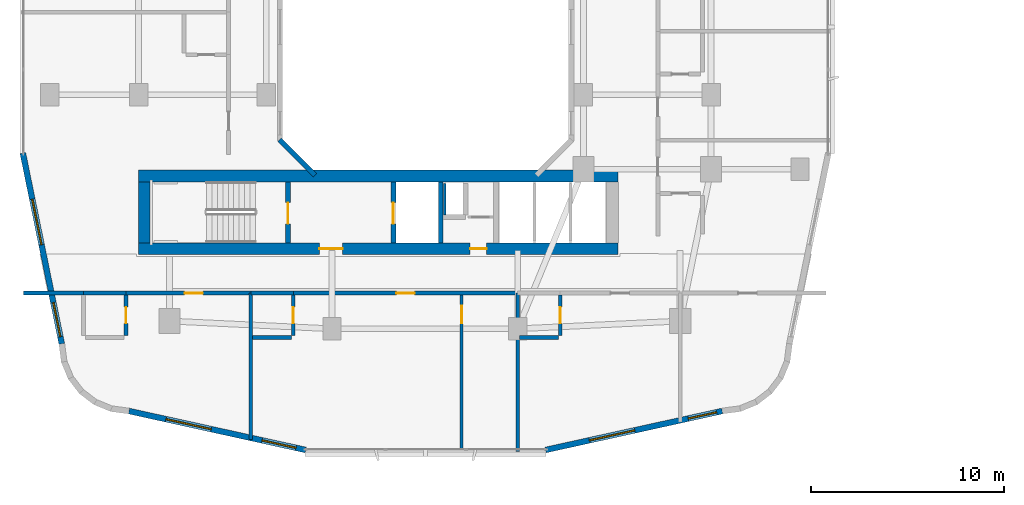
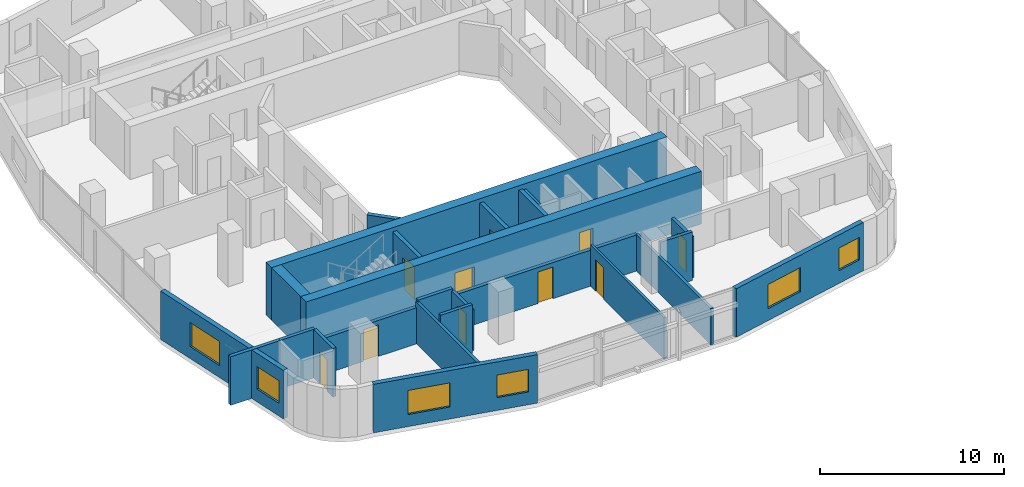
# One storey, part 13 of 27: 24 walls, 10 doors, 6 windows, 16 openings.
"""IFC4 building model written with IfcOpenShell, lengths in metres."""

from ifc_helpers import new_model, si_unit, derived_unit, direction, frame, frame_2d, origin, place, context, subcontext, project, spatial, rectangle, extrude, material, layer, layer_set, type_object, element, fill, save


model = new_model("IFC4")

# Units and contexts
model_context = context("Model", 3, precision=1e-05, world=origin(), true_north=direction((0.0, 1.0)))
body_context = subcontext(model_context, "Body", "Model", "MODEL_VIEW")
ifc_project = project(units=[si_unit("LENGTHUNIT", "METRE"), si_unit("AREAUNIT", "SQUARE_METRE"), si_unit("VOLUMEUNIT", "CUBIC_METRE"), si_unit("PLANEANGLEUNIT", "RADIAN"), si_unit("MASSUNIT", "GRAM", prefix="KILO"), derived_unit("THERMALTRANSMITTANCEUNIT", [(si_unit("POWERUNIT", "WATT"), 1), (si_unit("LENGTHUNIT", "METRE"), -2), (si_unit("THERMODYNAMICTEMPERATUREUNIT", "KELVIN"), -1)])], contexts=[model_context])

# Site, building, storey
site_placement = place(None, origin())
site = spatial("IfcSite", under=ifc_project, at=site_placement, CompositionType="ELEMENT")
building_placement = place(site_placement, origin())
building = spatial("IfcBuilding", under=site, at=building_placement, Name="Kivonza Crest Hotel", CompositionType="ELEMENT")
storey_placement = place(building_placement, frame((0.0, 0.0, 38.0)))
storey = spatial("IfcBuildingStorey", under=building, at=storey_placement, Name="L09", CompositionType="ELEMENT", Elevation=38.0)

# Walls
ifc_material_1 = material(Name="High-density acoustic masonry inter-tenancy wall", Category="masonry")
ifc_layer_1 = layer(ifc_material_1, 0.179931640625)
ifc_layer_set_1 = layer_set([ifc_layer_1], Name="High-density acoustic masonry inter-tenancy wall")
wall_type_1 = type_object("IfcWallType", Name="WL-ACOU-180", PredefinedType="SOLIDWALL", material=ifc_layer_set_1)
wall_1_placement = place(storey_placement, frame((12.0, 3.66796875, 0.0), z_axis=(0.0, 0.0, 1.0), x_axis=(0.0, 1.0, 0.0)))
element("IfcWall", 1, at=wall_1_placement, inside=storey, type_object=wall_type_1, Name="L09 interior partition WA-L09-T1S-DIV1", PredefinedType="SOLIDWALL", context=body_context, shape_type="SweptSolid", body=[
    extrude(rectangle(XDim=7.58203125, YDim=0.179931640625, at=frame_2d((3.791015625, 0.0))), origin(), (0.0, 0.0, 1.0), 2.7451171875),
])
wall_2_placement = place(storey_placement, frame((25.800048828125, 3.06005859375, 0.0), z_axis=(0.0, 0.0, 1.0), x_axis=(0.0, 1.0, 0.0)))
element("IfcWall", 2, at=wall_2_placement, inside=storey, type_object=wall_type_1, Name="L09 interior partition WA-L09-T1S-DIV2", PredefinedType="SOLIDWALL", context=body_context, shape_type="SweptSolid", body=[
    extrude(rectangle(XDim=8.18994140625, YDim=0.179931640625, at=frame_2d((4.094970703125, 0.0))), origin(), (0.0, 0.0, 1.0), 2.39501953125),
])
ifc_material_2 = material(Name="Autoclaved aerated concrete blockwork", Category="masonry")
ifc_layer_2 = layer(ifc_material_2, 0.219970703125)
ifc_layer_set_2 = layer_set([ifc_layer_2], Name="Autoclaved aerated concrete blockwork")
wall_type_2 = type_object("IfcWallType", Name="WL-ACOU-220", PredefinedType="SOLIDWALL", material=ifc_layer_set_2)
wall_3_placement = place(storey_placement, frame((0.239990234375, 11.25, 0.0), z_axis=(0.0, 0.0, 1.0), x_axis=(1.0, 0.0, 0.0)))
element("IfcWall", 3, at=wall_3_placement, inside=storey, type_object=wall_type_2, Name="L09 interior partition WA-L09-S04-XCORR", PredefinedType="SOLIDWALL", context=body_context, shape_type="SweptSolid", body=[
    extrude(rectangle(XDim=3.110107421875, YDim=0.219970703125, at=frame_2d((1.55517578125, 0.0))), origin(), (0.0, 0.0, 1.0), 3.219970703125),
])
wall_4_placement = place(storey_placement, frame((3.35009765625, 11.25, 0.0), z_axis=(0.0, 0.0, 1.0), x_axis=(1.0, 0.0, 0.0)))
element("IfcWall", 4, at=wall_4_placement, inside=storey, type_object=wall_type_2, Name="L09 interior partition WA-L09-S04-BCORR", PredefinedType="SOLIDWALL", context=body_context, shape_type="SweptSolid", body=[
    extrude(rectangle(XDim=2.199951171875, YDim=0.219970703125, at=frame_2d((1.10009765625, 0.0))), origin(), (0.0, 0.0, 1.0), 3.219970703125),
])

# Wall, opening, door
wall_5_placement = place(storey_placement, frame((5.550048828125, 11.25, 0.0), z_axis=(0.0, 0.0, 1.0), x_axis=(1.0, 0.0, 0.0)))
wall_5 = element("IfcWall", 5, at=wall_5_placement, inside=storey, type_object=wall_type_2, Name="L09 interior partition WA-L09-S04-MCORR", PredefinedType="SOLIDWALL", context=body_context, shape_type="SweptSolid", body=[
    extrude(rectangle(XDim=6.449951171875, YDim=0.219970703125, at=frame_2d((3.22509765625, 0.0))), origin(), (0.0, 0.0, 1.0), 2.39501953125),
])
opening_1_placement = place(wall_5_placement, frame((3.030029296875, 0.0, 0.0)))
opening_1 = element("IfcOpeningElement", 6, at=opening_1_placement, cuts=wall_5, Name="Opening DU-60", PredefinedType="OPENING", context=body_context, shape_type="SweptSolid", body=[
    extrude(rectangle(XDim=0.949951171875, YDim=2.10009765625, at=frame_2d((0.47509765625, 1.050048828125))), frame((0.0, 0.1201171875, 0.0), z_axis=(0.0, -1.0, 0.0), x_axis=(1.0, 0.0, 0.0)), (0.0, 0.0, 1.0), 0.239990234375),
])
ifc_material_3 = material(Name="Hardwood timber oak", Category="wood")
door_type_1 = type_object("IfcDoorType", Name="DR-UNIT-950", OperationType="NOTDEFINED", PredefinedType="DOOR", material=ifc_material_3)
door_1_placement = place(opening_1_placement, frame((0.949951171875, 0.0, 0.0), z_axis=(0.0, 0.0, 1.0), x_axis=(-1.0, 0.0, 0.0)))
door_1 = element("IfcDoor", 7, at=door_1_placement, inside=storey, type_object=door_type_1, Name="L09 S04 guest unit entrance fire door", OperationType="SINGLE_SWING_RIGHT", OverallHeight=2.10009765625, OverallWidth=0.949951171875, PredefinedType="DOOR", context=body_context, shape_type="SweptSolid", body=[
    extrude(rectangle(XDim=0.949951171875, YDim=2.10009765625, at=frame_2d((0.47509765625, 1.050048828125))), frame((0.0, 0.02490234375, 0.0), z_axis=(0.0, -1.0, 0.0), x_axis=(1.0, 0.0, 0.0)), (0.0, 0.0, 1.0), 0.050048828125),
])
fill(opening_1, door_1)

# Wall
wall_6_placement = place(storey_placement, frame((12.0, 11.25, 0.0), z_axis=(0.0, 0.0, 1.0), x_axis=(1.0, 0.0, 0.0)))
element("IfcWall", 8, at=wall_6_placement, inside=storey, type_object=wall_type_2, Name="L09 interior partition WA-L09-S05-BCORR", PredefinedType="SOLIDWALL", context=body_context, shape_type="SweptSolid", body=[
    extrude(rectangle(XDim=2.199951171875, YDim=0.219970703125, at=frame_2d((1.10009765625, 0.0))), origin(), (0.0, 0.0, 1.0), 2.864990234375),
])

# Wall, opening, door
wall_7_placement = place(storey_placement, frame((14.199951171875, 11.25, 0.0), z_axis=(0.0, 0.0, 1.0), x_axis=(1.0, 0.0, 0.0)))
wall_7 = element("IfcWall", 9, at=wall_7_placement, inside=storey, type_object=wall_type_2, Name="L09 interior partition WA-L09-S05-MCORR", PredefinedType="SOLIDWALL", context=body_context, shape_type="SweptSolid", body=[
    extrude(rectangle(XDim=11.60009765625, YDim=0.219970703125, at=frame_2d((5.800048828125, 0.0))), origin(), (0.0, 0.0, 1.0), 2.39501953125),
])
opening_2_placement = place(wall_7_placement, frame((5.324951171875, 0.0, 0.0)))
opening_2 = element("IfcOpeningElement", 10, at=opening_2_placement, cuts=wall_7, Name="Opening DU-60", PredefinedType="OPENING", context=body_context, shape_type="SweptSolid", body=[
    extrude(rectangle(XDim=0.949951171875, YDim=2.10009765625, at=frame_2d((0.47509765625, 1.050048828125))), frame((0.0, 0.1201171875, 0.0), z_axis=(0.0, -1.0, 0.0), x_axis=(1.0, 0.0, 0.0)), (0.0, 0.0, 1.0), 0.239990234375),
])
door_2_placement = place(opening_2_placement, frame((0.949951171875, 0.0, 0.0), z_axis=(0.0, 0.0, 1.0), x_axis=(-1.0, 0.0, 0.0)))
door_2 = element("IfcDoor", 11, at=door_2_placement, inside=storey, type_object=door_type_1, Name="L09 S05 guest unit entrance fire door", OperationType="SINGLE_SWING_LEFT", OverallHeight=2.10009765625, OverallWidth=0.949951171875, PredefinedType="DOOR", context=body_context, shape_type="SweptSolid", body=[
    extrude(rectangle(XDim=0.949951171875, YDim=2.10009765625, at=frame_2d((0.47509765625, 1.050048828125))), frame((0.0, 0.02490234375, 0.0), z_axis=(0.0, -1.0, 0.0), x_axis=(1.0, 0.0, 0.0)), (0.0, 0.0, 1.0), 0.050048828125),
])
fill(opening_2, door_2)

# Wall, openings, doors
ifc_material_4 = material(Name="Concrete C60/75", Category="concrete")
ifc_layer_3 = layer(ifc_material_4, 0.60009765625)
ifc_layer_set_3 = layer_set([ifc_layer_3], Name="Concrete C60/75")
wall_type_3 = type_object("IfcWallType", Name="WL-CORE-600", PredefinedType="SHEAR", material=ifc_layer_set_3)
wall_8_placement = place(storey_placement, frame((6.199951171875, 13.5400390625, 0.0), z_axis=(0.0, 0.0, 1.0), x_axis=(1.0, 0.0, 0.0)))
wall_8 = element("IfcWall", 12, at=wall_8_placement, inside=storey, type_object=wall_type_3, Name="Core wall T1-S South L09", PredefinedType="SHEAR", context=body_context, shape_type="SweptSolid", body=[
    extrude(rectangle(XDim=24.800048828125, YDim=0.60009765625, at=frame_2d((12.39990234375, 0.0))), origin(), (0.0, 0.0, 1.0), 3.5),
])
opening_3_placement = place(wall_8_placement, frame((9.35009765625, 0.0, 0.0)))
opening_3 = element("IfcOpeningElement", 13, at=opening_3_placement, cuts=wall_8, Name="Opening DF-60", PredefinedType="OPENING", context=body_context, shape_type="SweptSolid", body=[
    extrude(rectangle(XDim=1.199951171875, YDim=2.14990234375, at=frame_2d((0.60009765625, 1.074951171875))), frame((0.0, 0.31005859375, 0.0), z_axis=(0.0, -1.0, 0.0), x_axis=(1.0, 0.0, 0.0)), (0.0, 0.0, 1.0), 0.6201171875),
])
opening_4_placement = place(wall_8_placement, frame((17.139892578125, 0.0, 0.0)))
opening_4 = element("IfcOpeningElement", 14, at=opening_4_placement, cuts=wall_8, Name="Opening DF-60R", PredefinedType="OPENING", context=body_context, shape_type="SweptSolid", body=[
    extrude(rectangle(XDim=0.85009765625, YDim=2.10009765625, at=frame_2d((0.425048828125, 1.050048828125))), frame((0.0, 0.31005859375, 0.0), z_axis=(0.0, -1.0, 0.0), x_axis=(1.0, 0.0, 0.0)), (0.0, 0.0, 1.0), 0.6201171875),
])
door_type_2 = type_object("IfcDoorType", Name="DR-FD60-1200", OperationType="NOTDEFINED", PredefinedType="DOOR", material=ifc_material_3)
door_3_placement = place(opening_3_placement, frame((1.199951171875, 0.0, 0.0), z_axis=(0.0, 0.0, 1.0), x_axis=(-1.0, 0.0, 0.0)))
door_3 = element("IfcDoor", 15, at=door_3_placement, inside=storey, type_object=door_type_2, Name="L09 T1-S firefighting lobby fire door", OperationType="SINGLE_SWING_LEFT", OverallHeight=2.14990234375, OverallWidth=1.199951171875, PredefinedType="DOOR", context=body_context, shape_type="SweptSolid", body=[
    extrude(rectangle(XDim=1.199951171875, YDim=2.14990234375, at=frame_2d((0.60009765625, 1.074951171875))), frame((0.0, 0.02490234375, 0.0), z_axis=(0.0, -1.0, 0.0), x_axis=(1.0, 0.0, 0.0)), (0.0, 0.0, 1.0), 0.050048828125),
])
fill(opening_3, door_3)
door_type_3 = type_object("IfcDoorType", Name="DR-FD60-850", OperationType="NOTDEFINED", PredefinedType="DOOR", material=ifc_material_3)
door_4_placement = place(opening_4_placement, frame((0.85009765625, 0.0, 0.0), z_axis=(0.0, 0.0, 1.0), x_axis=(-1.0, 0.0, 0.0)))
door_4 = element("IfcDoor", 16, at=door_4_placement, inside=storey, type_object=door_type_3, Name="L09 T1-S core room door", OperationType="SINGLE_SWING_RIGHT", OverallHeight=2.10009765625, OverallWidth=0.85009765625, PredefinedType="DOOR", context=body_context, shape_type="SweptSolid", body=[
    extrude(rectangle(XDim=0.85009765625, YDim=2.10009765625, at=frame_2d((0.425048828125, 1.050048828125))), frame((0.0, 0.02490234375, 0.0), z_axis=(0.0, -1.0, 0.0), x_axis=(1.0, 0.0, 0.0)), (0.0, 0.0, 1.0), 0.050048828125),
])
fill(opening_4, door_4)

# Walls
wall_9_placement = place(storey_placement, frame((6.199951171875, 17.300048828125, 0.0), z_axis=(0.0, 0.0, 1.0), x_axis=(1.0, 0.0, 0.0)))
element("IfcWall", 17, at=wall_9_placement, inside=storey, type_object=wall_type_3, Name="Core wall T1-S North L09", PredefinedType="SHEAR", context=body_context, shape_type="SweptSolid", body=[
    extrude(rectangle(XDim=24.800048828125, YDim=0.60009765625, at=frame_2d((12.39990234375, 0.0))), origin(), (0.0, 0.0, 1.0), 3.5),
])
wall_10_placement = place(storey_placement, frame((6.5, 13.840087890625, 0.0), z_axis=(0.0, 0.0, 1.0), x_axis=(0.0, 1.0, 0.0)))
element("IfcWall", 18, at=wall_10_placement, inside=storey, type_object=wall_type_3, Name="Core wall T1-S West L09", PredefinedType="SHEAR", context=body_context, shape_type="SweptSolid", body=[
    extrude(rectangle(XDim=3.159912109375, YDim=0.60009765625, at=frame_2d((1.580078125, 0.0))), origin(), (0.0, 0.0, 1.0), 3.5),
])
ifc_material_5 = material(Name="Precast concrete C40/50", Category="concrete")
ifc_layer_4 = layer(ifc_material_5, 0.260009765625)
ifc_layer_set_4 = layer_set([ifc_layer_4], Name="Precast concrete C40/50")
wall_type_4 = type_object("IfcWallType", Name="WL-EXT-260", PredefinedType="STANDARD", material=ifc_layer_set_4)
wall_11_placement = place(storey_placement, frame((13.48388671875, 19.172119140625, 0.0), z_axis=(0.0, 0.0, 1.0), x_axis=(0.707106781187, -0.707106781187, 0.0)))
element("IfcWall", 19, at=wall_11_placement, inside=storey, type_object=wall_type_4, Name="L09 T1 light-well exterior wall 8", PredefinedType="STANDARD", context=body_context, shape_type="SweptSolid", body=[
    extrude(rectangle(XDim=2.593994140625, YDim=0.260009765625, at=frame_2d((1.296875, 0.0))), origin(), (0.0, 0.0, 1.0), 3.219970703125),
])

# Wall, openings, windows
ifc_layer_5 = layer(ifc_material_5, 0.300048828125)
ifc_layer_set_5 = layer_set([ifc_layer_5], Name="Precast concrete C40/50")
wall_type_5 = type_object("IfcWallType", Name="WL-EXT-300", PredefinedType="STANDARD", material=ifc_layer_set_5)
wall_12_placement = place(storey_placement, frame((5.7041015625, 5.14794921875, 0.0), z_axis=(0.0, 0.0, 1.0), x_axis=(0.9765437942, -0.215318875183, 0.0)))
wall_12 = element("IfcWall", 20, at=wall_12_placement, inside=storey, type_object=wall_type_5, Name="L09 T1 exterior insulated wall 7", PredefinedType="STANDARD", context=body_context, shape_type="SweptSolid", body=[
    extrude(rectangle(XDim=9.353271484375, YDim=0.300048828125, at=frame_2d((4.6767578125, 0.0))), origin(), (0.0, 0.0, 1.0), 3.219970703125),
])
opening_5_placement = place(wall_12_placement, frame((1.9580078125, 0.0, 0.800048828125)))
opening_5 = element("IfcOpeningElement", 21, at=opening_5_placement, cuts=wall_12, Name="Opening WN-05", PredefinedType="OPENING", context=body_context, shape_type="SweptSolid", body=[
    extrude(rectangle(XDim=2.39990234375, YDim=1.60009765625, at=frame_2d((1.199951171875, 0.800048828125))), frame((0.0, 0.16015625, 0.0), z_axis=(0.0, -1.0, 0.0), x_axis=(1.0, 0.0, 0.0)), (0.0, 0.0, 1.0), 0.320068359375),
])
opening_6_placement = place(wall_12_placement, frame((7.0400390625, 0.0, 0.85009765625)))
opening_6 = element("IfcOpeningElement", 22, at=opening_6_placement, cuts=wall_12, Name="Opening WN-03", PredefinedType="OPENING", context=body_context, shape_type="SweptSolid", body=[
    extrude(rectangle(XDim=1.800048828125, YDim=1.5, at=frame_2d((0.89990234375, 0.75))), frame((0.0, 0.16015625, 0.0), z_axis=(0.0, -1.0, 0.0), x_axis=(1.0, 0.0, 0.0)), (0.0, 0.0, 1.0), 0.320068359375),
])
ifc_material_6 = material(Name="Thermally broken bronze aluminium and low-E double glazing", Category="aluminium")
window_type_1 = type_object("IfcWindowType", Name="WN-180x150", PartitioningType="DOUBLE_PANEL_VERTICAL", PredefinedType="WINDOW", material=ifc_material_6)
window_1_placement = place(opening_6_placement, origin())
window_1 = element("IfcWindow", 23, at=window_1_placement, inside=storey, type_object=window_type_1, Name="L09 T1 facade window 7 bay 2", OverallHeight=1.5, OverallWidth=1.800048828125, PartitioningType="SINGLE_PANEL", PredefinedType="WINDOW", context=body_context, shape_type="SweptSolid", body=[
    extrude(rectangle(XDim=1.800048828125, YDim=1.5, at=frame_2d((0.89990234375, 0.75))), frame((0.0, 0.030029296875, 0.0), z_axis=(0.0, -1.0, 0.0), x_axis=(1.0, 0.0, 0.0)), (0.0, 0.0, 1.0), 0.06005859375),
])
fill(opening_6, window_1)
window_type_2 = type_object("IfcWindowType", Name="WN-240x160", PartitioningType="TRIPLE_PANEL_VERTICAL", PredefinedType="WINDOW", material=ifc_material_6)
window_2_placement = place(opening_5_placement, origin())
window_2 = element("IfcWindow", 24, at=window_2_placement, inside=storey, type_object=window_type_2, Name="L09 T1 facade window 7 bay 1", OverallHeight=1.60009765625, OverallWidth=2.39990234375, PartitioningType="SINGLE_PANEL", PredefinedType="WINDOW", context=body_context, shape_type="SweptSolid", body=[
    extrude(rectangle(XDim=2.39990234375, YDim=1.60009765625, at=frame_2d((1.199951171875, 0.800048828125))), frame((0.0, 0.030029296875, 0.0), z_axis=(0.0, -1.0, 0.0), x_axis=(1.0, 0.0, 0.0)), (0.0, 0.0, 1.0), 0.06005859375),
])
fill(opening_5, window_2)

wall_13_placement = place(storey_placement, frame((27.241943359375, 3.134033203125, 0.0), z_axis=(0.0, 0.0, 1.0), x_axis=(0.97654500432, 0.215313386808, 0.0)))
wall_13 = element("IfcWall", 25, at=wall_13_placement, inside=storey, type_object=wall_type_5, Name="L09 T1 exterior insulated wall 9", PredefinedType="STANDARD", context=body_context, shape_type="SweptSolid", body=[
    extrude(rectangle(XDim=9.353515625, YDim=0.300048828125, at=frame_2d((4.6767578125, 0.0))), origin(), (0.0, 0.0, 1.0), 3.219970703125),
])
opening_7_placement = place(wall_13_placement, frame((2.322998046875, 0.0, 0.800048828125)))
opening_7 = element("IfcOpeningElement", 26, at=opening_7_placement, cuts=wall_13, Name="Opening WN-05", PredefinedType="OPENING", context=body_context, shape_type="SweptSolid", body=[
    extrude(rectangle(XDim=2.39990234375, YDim=1.60009765625, at=frame_2d((1.199951171875, 0.800048828125))), frame((0.0, 0.16015625, 0.0), z_axis=(0.0, -1.0, 0.0), x_axis=(1.0, 0.0, 0.0)), (0.0, 0.0, 1.0), 0.320068359375),
])
opening_8_placement = place(wall_13_placement, frame((7.554931640625, 0.0, 0.85009765625)))
opening_8 = element("IfcOpeningElement", 27, at=opening_8_placement, cuts=wall_13, Name="Opening WN-02", PredefinedType="OPENING", context=body_context, shape_type="SweptSolid", body=[
    extrude(rectangle(XDim=1.5, YDim=1.5, at=frame_2d((0.75, 0.75))), frame((0.0, 0.16015625, 0.0), z_axis=(0.0, -1.0, 0.0), x_axis=(1.0, 0.0, 0.0)), (0.0, 0.0, 1.0), 0.320068359375),
])
window_type_3 = type_object("IfcWindowType", Name="WN-150x150", PartitioningType="DOUBLE_PANEL_VERTICAL", PredefinedType="WINDOW", material=ifc_material_6)
window_3_placement = place(opening_8_placement, origin())
window_3 = element("IfcWindow", 28, at=window_3_placement, inside=storey, type_object=window_type_3, Name="L09 T1 facade window 9 bay 2", OverallHeight=1.5, OverallWidth=1.5, PartitioningType="SINGLE_PANEL", PredefinedType="WINDOW", context=body_context, shape_type="SweptSolid", body=[
    extrude(rectangle(XDim=1.5, YDim=1.5, at=frame_2d((0.75, 0.75))), frame((0.0, 0.030029296875, 0.0), z_axis=(0.0, -1.0, 0.0), x_axis=(1.0, 0.0, 0.0)), (0.0, 0.0, 1.0), 0.06005859375),
])
fill(opening_8, window_3)
window_4_placement = place(opening_7_placement, origin())
window_4 = element("IfcWindow", 29, at=window_4_placement, inside=storey, type_object=window_type_2, Name="L09 T1 facade window 9 bay 1", OverallHeight=1.60009765625, OverallWidth=2.39990234375, PartitioningType="SINGLE_PANEL", PredefinedType="WINDOW", context=body_context, shape_type="SweptSolid", body=[
    extrude(rectangle(XDim=2.39990234375, YDim=1.60009765625, at=frame_2d((1.199951171875, 0.800048828125))), frame((0.0, 0.030029296875, 0.0), z_axis=(0.0, -1.0, 0.0), x_axis=(1.0, 0.0, 0.0)), (0.0, 0.0, 1.0), 0.06005859375),
])
fill(opening_7, window_4)

wall_14_placement = place(storey_placement, frame((0.216064453125, 18.48388671875, 0.0), z_axis=(0.0, 0.0, 1.0), x_axis=(0.199990901713, -0.979797754249, 0.0)))
wall_14 = element("IfcWall", 30, at=wall_14_placement, inside=storey, type_object=wall_type_5, Name="L09 T1 exterior insulated wall 36", PredefinedType="STANDARD", context=body_context, shape_type="SweptSolid", body=[
    extrude(rectangle(XDim=10.065185546875, YDim=0.300048828125, at=frame_2d((5.03271484375, 0.0))), origin(), (0.0, 0.0, 1.0), 3.219970703125),
])
opening_9_placement = place(wall_14_placement, frame((2.428955078125, 0.0, 0.800048828125)))
opening_9 = element("IfcOpeningElement", 31, at=opening_9_placement, cuts=wall_14, Name="Opening WN-05", PredefinedType="OPENING", context=body_context, shape_type="SweptSolid", body=[
    extrude(rectangle(XDim=2.39990234375, YDim=1.60009765625, at=frame_2d((1.199951171875, 0.800048828125))), frame((0.0, 0.16015625, 0.0), z_axis=(0.0, -1.0, 0.0), x_axis=(1.0, 0.0, 0.0)), (0.0, 0.0, 1.0), 0.320068359375),
])
opening_10_placement = place(wall_14_placement, frame((7.886962890625, 0.0, 0.85009765625)))
opening_10 = element("IfcOpeningElement", 32, at=opening_10_placement, cuts=wall_14, Name="Opening WN-03", PredefinedType="OPENING", context=body_context, shape_type="SweptSolid", body=[
    extrude(rectangle(XDim=1.800048828125, YDim=1.5, at=frame_2d((0.89990234375, 0.75))), frame((0.0, 0.16015625, 0.0), z_axis=(0.0, -1.0, 0.0), x_axis=(1.0, 0.0, 0.0)), (0.0, 0.0, 1.0), 0.320068359375),
])
window_5_placement = place(opening_10_placement, origin())
window_5 = element("IfcWindow", 33, at=window_5_placement, inside=storey, type_object=window_type_1, Name="L09 T1 facade window 36 bay 2", OverallHeight=1.5, OverallWidth=1.800048828125, PartitioningType="SINGLE_PANEL", PredefinedType="WINDOW", context=body_context, shape_type="SweptSolid", body=[
    extrude(rectangle(XDim=1.800048828125, YDim=1.5, at=frame_2d((0.89990234375, 0.75))), frame((0.0, 0.030029296875, 0.0), z_axis=(0.0, -1.0, 0.0), x_axis=(1.0, 0.0, 0.0)), (0.0, 0.0, 1.0), 0.06005859375),
])
fill(opening_10, window_5)
window_6_placement = place(opening_9_placement, origin())
window_6 = element("IfcWindow", 34, at=window_6_placement, inside=storey, type_object=window_type_2, Name="L09 T1 facade window 36 bay 1", OverallHeight=1.60009765625, OverallWidth=2.39990234375, PartitioningType="SINGLE_PANEL", PredefinedType="WINDOW", context=body_context, shape_type="SweptSolid", body=[
    extrude(rectangle(XDim=2.39990234375, YDim=1.60009765625, at=frame_2d((1.199951171875, 0.800048828125))), frame((0.0, 0.030029296875, 0.0), z_axis=(0.0, -1.0, 0.0), x_axis=(1.0, 0.0, 0.0)), (0.0, 0.0, 1.0), 0.06005859375),
])
fill(opening_9, window_6)

# Wall
ifc_material_7 = material(Name="Twin-stud acoustic gypsum board partition", Category="gypsum")
ifc_layer_6 = layer(ifc_material_7, 0.14990234375)
ifc_layer_set_6 = layer_set([ifc_layer_6], Name="Twin-stud acoustic gypsum board partition")
wall_type_6 = type_object("IfcWallType", Name="WL-PART-150", PredefinedType="PARTITIONING", material=ifc_layer_set_6)
wall_15_placement = place(storey_placement, frame((22.030029296875, 15.280029296875, 0.0), z_axis=(0.0, 0.0, 1.0), x_axis=(0.0, 1.0, 0.0)))
element("IfcWall", 35, at=wall_15_placement, inside=storey, type_object=wall_type_6, Name="L09 interior partition WA-L09-T1-S-MEPR-W", PredefinedType="PARTITIONING", context=body_context, shape_type="SweptSolid", body=[
    extrude(rectangle(XDim=1.619873046875, YDim=0.14990234375, at=frame_2d((0.81005859375, 0.0))), origin(), (0.0, 0.0, 1.0), 3.219970703125),
])

# Wall, opening, door
wall_16_placement = place(storey_placement, frame((22.89990234375, 3.159912109375, 0.0), z_axis=(0.0, 0.0, 1.0), x_axis=(0.0, 1.0, 0.0)))
wall_16 = element("IfcWall", 36, at=wall_16_placement, inside=storey, type_object=wall_type_6, Name="L09 interior partition WP-L09-S05-SPSP", PredefinedType="PARTITIONING", context=body_context, shape_type="SweptSolid", body=[
    extrude(rectangle(XDim=7.989990234375, YDim=0.14990234375, at=frame_2d((3.9951171875, 0.0))), origin(), (0.0, 0.0, 1.0), 2.7451171875),
])
opening_11_placement = place(wall_16_placement, frame((6.5400390625, 0.0, 0.0)))
opening_11 = element("IfcOpeningElement", 37, at=opening_11_placement, cuts=wall_16, Name="Opening DI-90", PredefinedType="OPENING", context=body_context, shape_type="SweptSolid", body=[
    extrude(rectangle(XDim=0.89990234375, YDim=2.10009765625, at=frame_2d((0.449951171875, 1.050048828125))), frame((0.0, 0.0849609375, 0.0), z_axis=(0.0, -1.0, 0.0), x_axis=(1.0, 0.0, 0.0)), (0.0, 0.0, 1.0), 0.169921875),
])
door_type_4 = type_object("IfcDoorType", Name="DR-INT-900", OperationType="NOTDEFINED", PredefinedType="DOOR", material=ifc_material_3)
door_5_placement = place(opening_11_placement, origin())
door_5 = element("IfcDoor", 38, at=door_5_placement, inside=storey, type_object=door_type_4, Name="L09 S05 suite bedroom door", OperationType="SINGLE_SWING_RIGHT", OverallHeight=2.10009765625, OverallWidth=0.89990234375, PredefinedType="DOOR", context=body_context, shape_type="SweptSolid", body=[
    extrude(rectangle(XDim=0.89990234375, YDim=2.10009765625, at=frame_2d((0.449951171875, 1.050048828125))), frame((0.0, 0.02490234375, 0.0), z_axis=(0.0, -1.0, 0.0), x_axis=(1.0, 0.0, 0.0)), (0.0, 0.0, 1.0), 0.050048828125),
])
fill(opening_11, door_5)

ifc_material_8 = material(Name="Moisture-resistant plumbing chase partition wall", Category="gypsum")
ifc_layer_7 = layer(ifc_material_8, 0.199951171875)
ifc_layer_set_7 = layer_set([ifc_layer_7], Name="Moisture-resistant plumbing chase partition wall")
wall_type_7 = type_object("IfcWallType", Name="WL-PLUMB-200", PredefinedType="PLUMBINGWALL", material=ifc_layer_set_7)
wall_17_placement = place(storey_placement, frame((5.550048828125, 9.050048828125, 0.0), z_axis=(0.0, 0.0, 1.0), x_axis=(0.0, 1.0, 0.0)))
wall_17 = element("IfcWall", 39, at=wall_17_placement, inside=storey, type_object=wall_type_7, Name="L09 interior partition WW-L09-S04-BV", PredefinedType="PLUMBINGWALL", context=body_context, shape_type="SweptSolid", body=[
    extrude(rectangle(XDim=2.099853515625, YDim=0.199951171875, at=frame_2d((1.0498046875, 0.0))), origin(), (0.0, 0.0, 1.0), 3.219970703125),
])
opening_12_placement = place(wall_17_placement, frame((0.625, 0.0, 0.0)))
opening_12 = element("IfcOpeningElement", 40, at=opening_12_placement, cuts=wall_17, Name="Opening DI-85", PredefinedType="OPENING", context=body_context, shape_type="SweptSolid", body=[
    extrude(rectangle(XDim=0.85009765625, YDim=2.10009765625, at=frame_2d((0.425048828125, 1.050048828125))), frame((0.0, 0.10986328125, 0.0), z_axis=(0.0, -1.0, 0.0), x_axis=(1.0, 0.0, 0.0)), (0.0, 0.0, 1.0), 0.219970703125),
])
door_type_5 = type_object("IfcDoorType", Name="DR-INT-850", OperationType="NOTDEFINED", PredefinedType="DOOR", material=ifc_material_3)
door_6_placement = place(opening_12_placement, frame((0.85009765625, 0.0, 0.0), z_axis=(0.0, 0.0, 1.0), x_axis=(-1.0, 0.0, 0.0)))
door_6 = element("IfcDoor", 41, at=door_6_placement, inside=storey, type_object=door_type_5, Name="L09 S04 en-suite bathroom door", OperationType="SINGLE_SWING_LEFT", OverallHeight=2.10009765625, OverallWidth=0.85009765625, PredefinedType="DOOR", context=body_context, shape_type="SweptSolid", body=[
    extrude(rectangle(XDim=0.85009765625, YDim=2.10009765625, at=frame_2d((0.425048828125, 1.050048828125))), frame((0.0, 0.02490234375, 0.0), z_axis=(0.0, -1.0, 0.0), x_axis=(1.0, 0.0, 0.0)), (0.0, 0.0, 1.0), 0.050048828125),
])
fill(opening_12, door_6)

wall_18_placement = place(storey_placement, frame((14.199951171875, 9.050048828125, 0.0), z_axis=(0.0, 0.0, 1.0), x_axis=(0.0, 1.0, 0.0)))
wall_18 = element("IfcWall", 42, at=wall_18_placement, inside=storey, type_object=wall_type_7, Name="L09 interior partition WW-L09-S05-BV", PredefinedType="PLUMBINGWALL", context=body_context, shape_type="SweptSolid", body=[
    extrude(rectangle(XDim=2.099853515625, YDim=0.199951171875, at=frame_2d((1.0498046875, 0.0))), origin(), (0.0, 0.0, 1.0), 2.7451171875),
])
opening_13_placement = place(wall_18_placement, frame((0.625, 0.0, 0.0)))
opening_13 = element("IfcOpeningElement", 43, at=opening_13_placement, cuts=wall_18, Name="Opening DI-85", PredefinedType="OPENING", context=body_context, shape_type="SweptSolid", body=[
    extrude(rectangle(XDim=0.85009765625, YDim=2.10009765625, at=frame_2d((0.425048828125, 1.050048828125))), frame((0.0, 0.10986328125, 0.0), z_axis=(0.0, -1.0, 0.0), x_axis=(1.0, 0.0, 0.0)), (0.0, 0.0, 1.0), 0.219970703125),
])
door_7_placement = place(opening_13_placement, frame((0.85009765625, 0.0, 0.0), z_axis=(0.0, 0.0, 1.0), x_axis=(-1.0, 0.0, 0.0)))
door_7 = element("IfcDoor", 44, at=door_7_placement, inside=storey, type_object=door_type_5, Name="L09 S05 en-suite bathroom door", OperationType="SINGLE_SWING_RIGHT", OverallHeight=2.10009765625, OverallWidth=0.85009765625, PredefinedType="DOOR", context=body_context, shape_type="SweptSolid", body=[
    extrude(rectangle(XDim=0.85009765625, YDim=2.10009765625, at=frame_2d((0.425048828125, 1.050048828125))), frame((0.0, 0.02490234375, 0.0), z_axis=(0.0, -1.0, 0.0), x_axis=(1.0, 0.0, 0.0)), (0.0, 0.0, 1.0), 0.050048828125),
])
fill(opening_13, door_7)

# Wall
wall_19_placement = place(storey_placement, frame((12.10009765625, 8.949951171875, 0.0), z_axis=(0.0, 0.0, 1.0), x_axis=(1.0, 0.0, 0.0)))
element("IfcWall", 45, at=wall_19_placement, inside=storey, type_object=wall_type_7, Name="L09 interior partition WW-L09-S05-BH", PredefinedType="PLUMBINGWALL", context=body_context, shape_type="SweptSolid", body=[
    extrude(rectangle(XDim=2.0, YDim=0.199951171875, at=frame_2d((1.0, 0.0))), origin(), (0.0, 0.0, 1.0), 3.219970703125),
])

# Wall, opening, door
wall_20_placement = place(storey_placement, frame((28.0, 9.050048828125, 0.0), z_axis=(0.0, 0.0, 1.0), x_axis=(0.0, 1.0, 0.0)))
wall_20 = element("IfcWall", 46, at=wall_20_placement, inside=storey, type_object=wall_type_7, Name="L09 interior partition WW-L09-S06-BV", PredefinedType="PLUMBINGWALL", context=body_context, shape_type="SweptSolid", body=[
    extrude(rectangle(XDim=2.099853515625, YDim=0.199951171875, at=frame_2d((1.0498046875, 0.0))), origin(), (0.0, 0.0, 1.0), 2.7451171875),
])
opening_14_placement = place(wall_20_placement, frame((0.625, 0.0, 0.0)))
opening_14 = element("IfcOpeningElement", 47, at=opening_14_placement, cuts=wall_20, Name="Opening DI-85", PredefinedType="OPENING", context=body_context, shape_type="SweptSolid", body=[
    extrude(rectangle(XDim=0.85009765625, YDim=2.10009765625, at=frame_2d((0.425048828125, 1.050048828125))), frame((0.0, 0.10986328125, 0.0), z_axis=(0.0, -1.0, 0.0), x_axis=(1.0, 0.0, 0.0)), (0.0, 0.0, 1.0), 0.219970703125),
])
door_8_placement = place(opening_14_placement, frame((0.85009765625, 0.0, 0.0), z_axis=(0.0, 0.0, 1.0), x_axis=(-1.0, 0.0, 0.0)))
door_8 = element("IfcDoor", 48, at=door_8_placement, inside=storey, type_object=door_type_5, Name="L09 S06 en-suite bathroom door", OperationType="SINGLE_SWING_LEFT", OverallHeight=2.10009765625, OverallWidth=0.85009765625, PredefinedType="DOOR", context=body_context, shape_type="SweptSolid", body=[
    extrude(rectangle(XDim=0.85009765625, YDim=2.10009765625, at=frame_2d((0.425048828125, 1.050048828125))), frame((0.0, 0.02490234375, 0.0), z_axis=(0.0, -1.0, 0.0), x_axis=(1.0, 0.0, 0.0)), (0.0, 0.0, 1.0), 0.050048828125),
])
fill(opening_14, door_8)

# Wall
wall_21_placement = place(storey_placement, frame((25.89990234375, 8.949951171875, 0.0), z_axis=(0.0, 0.0, 1.0), x_axis=(1.0, 0.0, 0.0)))
element("IfcWall", 49, at=wall_21_placement, inside=storey, type_object=wall_type_7, Name="L09 interior partition WW-L09-S06-BH", PredefinedType="PLUMBINGWALL", context=body_context, shape_type="SweptSolid", body=[
    extrude(rectangle(XDim=2.0, YDim=0.199951171875, at=frame_2d((1.0, 0.0))), origin(), (0.0, 0.0, 1.0), 3.219970703125),
])

# Wall, opening, door
ifc_material_9 = material(Name="Concrete C50/60", Category="concrete")
ifc_layer_8 = layer(ifc_material_9, 0.25)
ifc_layer_set_8 = layer_set([ifc_layer_8], Name="Concrete C50/60")
wall_type_8 = type_object("IfcWallType", Name="WL-SHAFT-250", PredefinedType="STANDARD", material=ifc_layer_set_8)
wall_22_placement = place(storey_placement, frame((13.925048828125, 13.840087890625, 0.0), z_axis=(0.0, 0.0, 1.0), x_axis=(0.0, 1.0, 0.0)))
wall_22 = element("IfcWall", 50, at=wall_22_placement, inside=storey, type_object=wall_type_8, Name="Core shaft wall T1-S STAIR L09", PredefinedType="STANDARD", context=body_context, shape_type="SweptSolid", body=[
    extrude(rectangle(XDim=3.159912109375, YDim=0.25, at=frame_2d((1.580078125, 0.0))), origin(), (0.0, 0.0, 1.0), 3.219970703125),
])
opening_15_placement = place(wall_22_placement, frame((0.97998046875, 0.0, 0.0)))
opening_15 = element("IfcOpeningElement", 51, at=opening_15_placement, cuts=wall_22, Name="Opening DF-120", PredefinedType="OPENING", context=body_context, shape_type="SweptSolid", body=[
    extrude(rectangle(XDim=1.10009765625, YDim=2.14990234375, at=frame_2d((0.550048828125, 1.074951171875))), frame((0.0, 0.135009765625, 0.0), z_axis=(0.0, -1.0, 0.0), x_axis=(1.0, 0.0, 0.0)), (0.0, 0.0, 1.0), 0.27001953125),
])
ifc_material_10 = material(Name="Galvanised steel", Category="steel")
door_type_6 = type_object("IfcDoorType", Name="DR-FD120-1100", OperationType="NOTDEFINED", PredefinedType="DOOR", material=ifc_material_10)
door_9_placement = place(opening_15_placement, frame((1.10009765625, 0.0, 0.0), z_axis=(0.0, 0.0, 1.0), x_axis=(-1.0, 0.0, 0.0)))
door_9 = element("IfcDoor", 52, at=door_9_placement, inside=storey, type_object=door_type_6, Name="L09 T1-S stair fire door", OperationType="SINGLE_SWING_RIGHT", OverallHeight=2.14990234375, OverallWidth=1.10009765625, PredefinedType="DOOR", context=body_context, shape_type="SweptSolid", body=[
    extrude(rectangle(XDim=1.10009765625, YDim=2.14990234375, at=frame_2d((0.550048828125, 1.074951171875))), frame((0.0, 0.02490234375, 0.0), z_axis=(0.0, -1.0, 0.0), x_axis=(1.0, 0.0, 0.0)), (0.0, 0.0, 1.0), 0.050048828125),
])
fill(opening_15, door_9)

wall_23_placement = place(storey_placement, frame((19.375, 13.840087890625, 0.0), z_axis=(0.0, 0.0, 1.0), x_axis=(0.0, 1.0, 0.0)))
wall_23 = element("IfcWall", 53, at=wall_23_placement, inside=storey, type_object=wall_type_8, Name="Core shaft wall T1-S FFL-W L09", PredefinedType="STANDARD", context=body_context, shape_type="SweptSolid", body=[
    extrude(rectangle(XDim=3.159912109375, YDim=0.25, at=frame_2d((1.580078125, 0.0))), origin(), (0.0, 0.0, 1.0), 3.219970703125),
])
opening_16_placement = place(wall_23_placement, frame((0.97998046875, 0.0, 0.0)))
opening_16 = element("IfcOpeningElement", 54, at=opening_16_placement, cuts=wall_23, Name="Opening LD-120", PredefinedType="OPENING", context=body_context, shape_type="SweptSolid", body=[
    extrude(rectangle(XDim=1.10009765625, YDim=2.14990234375, at=frame_2d((0.550048828125, 1.074951171875))), frame((0.0, 0.135009765625, 0.0), z_axis=(0.0, -1.0, 0.0), x_axis=(1.0, 0.0, 0.0)), (0.0, 0.0, 1.0), 0.27001953125),
])
ifc_material_11 = material(Name="Stainless steel", Category="steel")
door_type_7 = type_object("IfcDoorType", Name="DR-LD120-1100", OperationType="NOTDEFINED", PredefinedType="DOOR", material=ifc_material_11)
door_10_placement = place(opening_16_placement, origin())
door_10 = element("IfcDoor", 55, at=door_10_placement, inside=storey, type_object=door_type_7, Name="L09 FFL-T1-S firefighting lift sliding landing door", OperationType="DOUBLE_DOOR_SLIDING", OverallHeight=2.14990234375, OverallWidth=1.10009765625, PredefinedType="DOOR", context=body_context, shape_type="SweptSolid", body=[
    extrude(rectangle(XDim=1.10009765625, YDim=2.14990234375, at=frame_2d((0.550048828125, 1.074951171875))), frame((0.0, 0.02490234375, 0.0), z_axis=(0.0, -1.0, 0.0), x_axis=(1.0, 0.0, 0.0)), (0.0, 0.0, 1.0), 0.050048828125),
])
fill(opening_16, door_10)

# Wall
wall_24_placement = place(storey_placement, frame((21.824951171875, 13.840087890625, 0.0), z_axis=(0.0, 0.0, 1.0), x_axis=(0.0, 1.0, 0.0)))
element("IfcWall", 56, at=wall_24_placement, inside=storey, type_object=wall_type_8, Name="Core shaft wall T1-S FFL-E L09", PredefinedType="STANDARD", context=body_context, shape_type="SweptSolid", body=[
    extrude(rectangle(XDim=3.159912109375, YDim=0.25, at=frame_2d((1.580078125, 0.0))), origin(), (0.0, 0.0, 1.0), 3.219970703125),
])

save(model, "model.ifc")
